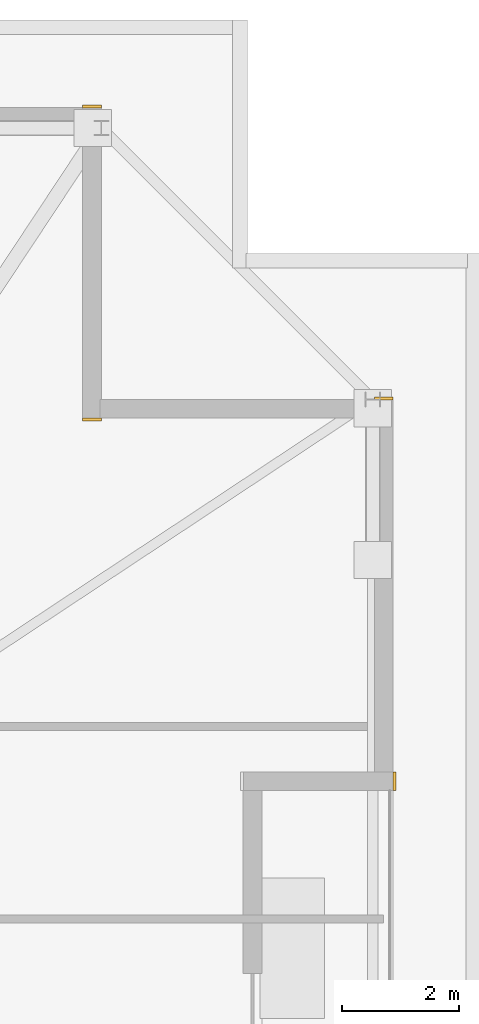
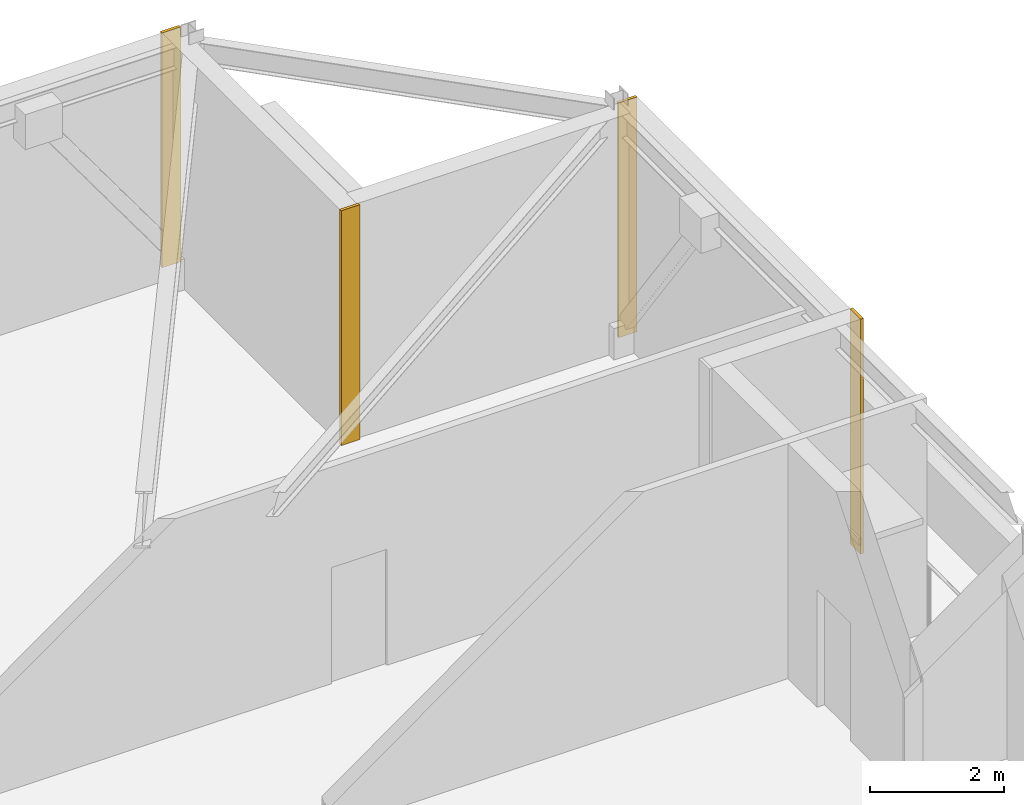
# One storey, part 18 of 18: 4 coverings.
"""IFC4 building model written with IfcOpenShell, lengths in metres."""

import ifcopenshell
import ifcopenshell.guid

model = None  # the IFC model being written
_history = None  # IfcOwnerHistory: only IFC2X3 demands one
_inside = {}  # id of a spatial element -> (the spatial element, [elements in it])
_under = {}  # id of a project, library or spatial element -> (it, [spatial elements below it])
_declared = {}  # id of a project -> (the project, [libraries it declares])
_typed = {}  # id of a type object -> (the type object, [elements of that type])
_made_of = {}  # id of a material, layer set ... -> (it, [elements and type objects made of it])


def new_model(schema):
    """Start an empty IFC model of exactly this schema.

    Asked for "IFC4X3", IfcOpenShell would pick the latest addendum, in which some entities
    have other attributes; the version numbers below select the first issue.
    IFC2X3 requires an IfcOwnerHistory on every rooted entity: one is made here for all.
    """
    global model, _history
    if schema == "IFC4X3":
        model = ifcopenshell.file(schema_version=(4, 3, 0, 0))
    else:
        model = ifcopenshell.file(schema=schema)
    _inside.clear()
    _under.clear()
    _declared.clear()
    _typed.clear()
    _made_of.clear()
    _history = None
    if model.schema == "IFC2X3":
        org = make("IfcOrganization", Name="unknown")
        user = make(
            "IfcPersonAndOrganization",
            ThePerson=make("IfcPerson", FamilyName="unknown"),
            TheOrganization=org,
        )
        app = make(
            "IfcApplication",
            ApplicationDeveloper=org,
            Version="unknown",
            ApplicationFullName="unknown",
            ApplicationIdentifier="unknown",
        )
        _history = make(
            "IfcOwnerHistory",
            OwningUser=user,
            OwningApplication=app,
            ChangeAction="ADDED",
            CreationDate=0,
        )
    return model


def make(cls, **values):
    """One entity of the class cls with the attributes given. An attribute that is None is left unset."""
    return model.create_entity(
        cls, **{name: value for name, value in values.items() if value is not None}
    )


def rooted(cls, **values):
    """An entity with a GlobalId (a new one), such as an element, a storey or a relation."""
    return make(cls, GlobalId=ifcopenshell.guid.new(), OwnerHistory=_history, **values)


def si_unit(unit_type, name, prefix=None):
    """IfcSIUnit, for example si_unit("LENGTHUNIT", "METRE", prefix="MILLI")."""
    return make("IfcSIUnit", UnitType=unit_type, Prefix=prefix, Name=name)


def assignment(units):
    """IfcUnitAssignment: the units of a project."""
    return None if units is None else make("IfcUnitAssignment", Units=units)


def point(xyz):
    """IfcCartesianPoint."""
    return None if xyz is None else make("IfcCartesianPoint", Coordinates=xyz)


def direction(xyz):
    """IfcDirection."""
    return None if xyz is None else make("IfcDirection", DirectionRatios=xyz)


def frame(location, z_axis=None, x_axis=None):
    """IfcAxis2Placement3D, a coordinate frame: its origin and axes. An axis left out is left unset."""
    return make(
        "IfcAxis2Placement3D",
        Location=point(location),
        Axis=direction(z_axis),
        RefDirection=direction(x_axis),
    )


def frame_2d(location, x_axis=None):
    """IfcAxis2Placement2D, a coordinate frame in the plane: its origin and x axis."""
    return make(
        "IfcAxis2Placement2D", Location=point(location), RefDirection=direction(x_axis)
    )


def origin():
    """The frame at (0, 0, 0) with its axes left unset."""
    return frame((0.0, 0.0, 0.0))


def place(relative_to, where):
    """IfcLocalPlacement: puts the frame where relative to a parent placement (None: the world)."""
    return make(
        "IfcLocalPlacement", PlacementRelTo=relative_to, RelativePlacement=where
    )


def context(
    kind, dimensions, precision=None, world=None, true_north=None, identifier=None
):
    """IfcGeometricRepresentationContext, for example the 3D "Model" context."""
    return make(
        "IfcGeometricRepresentationContext",
        ContextIdentifier=identifier,
        ContextType=kind,
        CoordinateSpaceDimension=dimensions,
        Precision=precision,
        WorldCoordinateSystem=world,
        TrueNorth=true_north,
    )


def subcontext(parent, identifier, kind, view, scale=None):
    """IfcGeometricRepresentationSubContext, for example "Body" below "Model"."""
    return make(
        "IfcGeometricRepresentationSubContext",
        ContextIdentifier=identifier,
        ContextType=kind,
        ParentContext=parent,
        TargetScale=scale,
        TargetView=view,
    )


def project(units=None, contexts=None):
    """IfcProject with its units and contexts."""
    return rooted(
        "IfcProject",
        Name="project",
        RepresentationContexts=contexts,
        UnitsInContext=assignment(units),
    )


def spatial(cls, under=None, at=None, **own):
    """A site, building, storey or space (cls), placed at a placement, below another one or the project."""
    s = rooted(cls, ObjectPlacement=at, **own)
    if under is not None:
        _under.setdefault(under.id(), (under, []))[1].append(s)
    return s


def profile(cls, at=None, kind="AREA", **sizes):
    """A parametric profile (cls). Its sizes go by their IFC names, for example OverallWidth=200.0."""
    return make(cls, ProfileType=kind, Position=at, **sizes)


def rectangle(**sizes):
    """IfcRectangleProfileDef."""
    return profile("IfcRectangleProfileDef", **sizes)


def extrude(swept, where, along, depth):
    """IfcExtrudedAreaSolid: the profile swept, set in the frame where, extruded along a direction by depth."""
    return make(
        "IfcExtrudedAreaSolid",
        SweptArea=swept,
        Position=where,
        ExtrudedDirection=direction(along),
        Depth=depth,
    )


def shape(context_of_items, identifier, shape_type, items):
    """IfcShapeRepresentation: the items that make up one representation, for example the "Body"."""
    return make(
        "IfcShapeRepresentation",
        ContextOfItems=context_of_items,
        RepresentationIdentifier=identifier,
        RepresentationType=shape_type,
        Items=items,
    )


def material(Name=None, Category=None):
    """IfcMaterial."""
    return make("IfcMaterial", Name=Name, Category=Category)


def layer(
    of_material, thickness, ventilated=None, Name=None, Category=None, Priority=None
):
    """IfcMaterialLayer: one layer of a wall or slab, of a material (None: an air gap)."""
    return make(
        "IfcMaterialLayer",
        Material=of_material,
        LayerThickness=thickness,
        IsVentilated=ventilated,
        Name=Name,
        Category=Category,
        Priority=Priority,
    )


def layer_set(layers, Name=None):
    """IfcMaterialLayerSet."""
    return make("IfcMaterialLayerSet", MaterialLayers=layers, LayerSetName=Name)


def made_of(thing, what):
    """Note that an element or type object is made of a material, layer set ...; save() writes the relation."""
    if what is not None:
        _made_of.setdefault(what.id(), (what, []))[1].append(thing)
    return thing


def type_object(cls, material=None, **own):
    """A type object (cls), such as IfcWallType, which elements share."""
    return made_of(rooted(cls, **own), material)


def element(
    cls,
    number,
    at=None,
    inside=None,
    cuts=None,
    type_object=None,
    material=None,
    context=None,
    identifier="Body",
    shape_type=None,
    held_by="IfcProductDefinitionShape",
    body=None,
    shapes=None,
    **own,
):
    """One element of the class cls, such as IfcWall. Its Tag is "e" and its number.

    at: its placement. inside: the storey or other place that contains it. cuts: it is an
    opening in that element (IfcRelVoidsElement). A single representation is given by context,
    identifier, shape_type and body (its items); several are given by shapes. held_by: the class
    of the entity that holds the representations. save() writes the other relations.
    """
    e = rooted(cls, Tag="e%d" % number, ObjectPlacement=at, **own)
    if body is not None:
        shapes = [shape(context, identifier, shape_type, body)]
    if shapes is not None:
        e.Representation = make(held_by, Representations=shapes)
    if inside is not None:
        _inside.setdefault(inside.id(), (inside, []))[1].append(e)
    if cuts is not None:
        rooted(
            "IfcRelVoidsElement", RelatingBuildingElement=cuts, RelatedOpeningElement=e
        )
    if type_object is not None:
        _typed.setdefault(type_object.id(), (type_object, []))[1].append(e)
    return made_of(e, material)


def aggregate(whole, parts):
    """IfcRelAggregates: a whole, such as a stair, and the parts it consists of."""
    return rooted("IfcRelAggregates", RelatingObject=whole, RelatedObjects=parts)


def save(model, path):
    """Write the relations noted so far, then the file.

    IfcRelAggregates (storeys below a building ...), IfcRelContainedInSpatialStructure (elements
    in a storey), IfcRelDefinesByType, IfcRelAssociatesMaterial and IfcRelDeclares: one each for
    every whole, place, type object, material and project.
    """
    for whole, parts in _under.values():
        aggregate(whole, parts)
    for where, things in _inside.values():
        rooted(
            "IfcRelContainedInSpatialStructure",
            RelatedElements=things,
            RelatingStructure=where,
        )
    for kind, things in _typed.values():
        rooted("IfcRelDefinesByType", RelatedObjects=things, RelatingType=kind)
    for what, things in _made_of.values():
        rooted("IfcRelAssociatesMaterial", RelatedObjects=things, RelatingMaterial=what)
    for by, libraries in _declared.values():
        rooted("IfcRelDeclares", RelatingContext=by, RelatedDefinitions=libraries)
    model.write(path)


model = new_model("IFC4")

# Units and contexts
model_context = context("Model", 3, precision=1e-05, world=origin(), true_north=direction((0.0, 1.0)))
body_context = subcontext(model_context, "Body", "Model", "MODEL_VIEW")
ifc_project = project(units=[si_unit("LENGTHUNIT", "METRE"), si_unit("AREAUNIT", "SQUARE_METRE"), si_unit("VOLUMEUNIT", "CUBIC_METRE"), si_unit("PLANEANGLEUNIT", "RADIAN"), si_unit("MASSUNIT", "GRAM", prefix="KILO")], contexts=[model_context])

# Site, building, storey
site_placement = place(None, origin())
site = spatial("IfcSite", under=ifc_project, at=site_placement, CompositionType="ELEMENT")
building_placement = place(site_placement, origin())
building = spatial("IfcBuilding", under=site, at=building_placement, Name="Cairnveth Concourse Tower", CompositionType="ELEMENT")
storey_placement = place(building_placement, frame((0.0, 0.0, 198.0)))
storey = spatial("IfcBuildingStorey", under=building, at=storey_placement, Name="L54", CompositionType="ELEMENT", Elevation=198.0)

# Coverings
ifc_material = material(Name="Dressed Melbourne Bluestone Cladding", Category="masonry")
ifc_layer = layer(ifc_material, 0.050048828125)
ifc_layer_set = layer_set([ifc_layer], Name="Dressed Melbourne Bluestone Cladding")
covering_type = type_object("IfcCoveringType", Name="DRESSED BLUESTONE PLINTH CLADDING 50", PredefinedType="CLADDING", material=ifc_layer_set)
for number, where, z_axis, x_axis, name in (
    (1, (69.179931640625, 61.52001953125, 0.0), (0.0, 0.0, 1.0), (1.0, 0.0, 0.0), "Melbourne Bluestone Corner Quoin L54-809"),
    (2, (69.179931640625, 56.159912109375, 0.0), (0.0, 0.0, 1.0), (1.0, 0.0, 0.0), "Melbourne Bluestone Corner Quoin L54-810"),
    (3, (74.179931640625, 56.52001953125, 0.0), (0.0, 0.0, 1.0), (1.0, 0.0, 0.0), "Melbourne Bluestone Corner Quoin L54-811"),
    (4, (74.52001953125, 50.1201171875, 0.0), (0.0, 0.0, 1.0), (0.0, -1.0, 0.0), "Melbourne Bluestone Corner Quoin L54-812"),
):
    element("IfcCovering", number, at=place(storey_placement, frame(where, z_axis=z_axis, x_axis=x_axis)), inside=storey, type_object=covering_type, Name=name, PredefinedType="CLADDING", context=body_context, shape_type="SweptSolid", body=[
        extrude(rectangle(XDim=0.320068359375, YDim=0.050048828125, at=frame_2d((0.16015625, 0.0))), origin(), (0.0, 0.0, 1.0), 4.2900390625),
    ])

save(model, "model.ifc")
